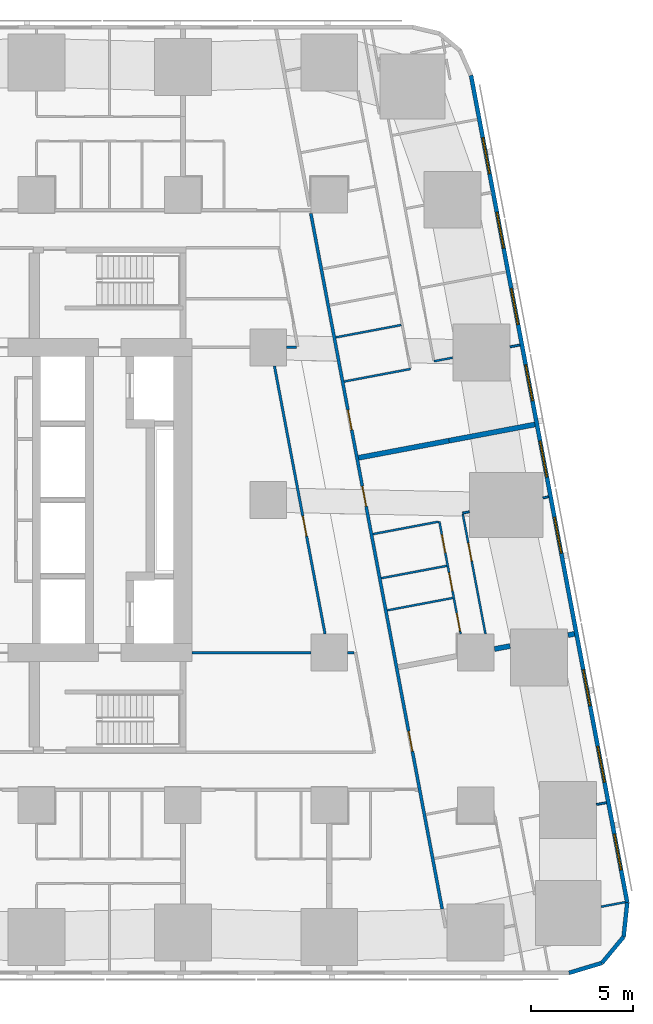
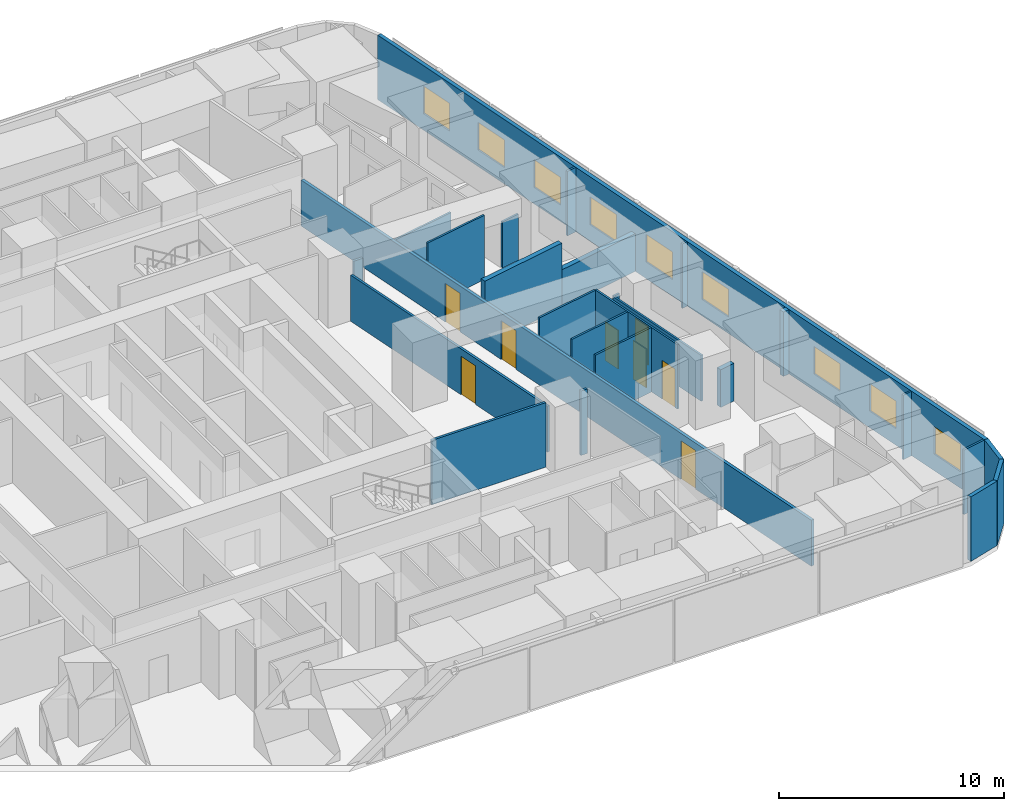
# One storey, part 8 of 16: 26 walls, 9 windows, 8 doors, 17 openings.
"""IFC4 building model written with IfcOpenShell, lengths in metres."""

from ifc_helpers import new_model, si_unit, direction, frame, frame_2d, origin, place, context, subcontext, project, spatial, rectangle, extrude, material, layer, layer_set, type_object, element, fill, save


model = new_model("IFC4")

# Units and contexts
model_context = context("Model", 3, precision=1e-05, world=origin(), true_north=direction((0.0, 1.0)))
body_context = subcontext(model_context, "Body", "Model", "MODEL_VIEW")
ifc_project = project(units=[si_unit("LENGTHUNIT", "METRE"), si_unit("AREAUNIT", "SQUARE_METRE"), si_unit("VOLUMEUNIT", "CUBIC_METRE"), si_unit("PLANEANGLEUNIT", "RADIAN"), si_unit("MASSUNIT", "GRAM", prefix="KILO")], contexts=[model_context])

# Site, building, storey
site_placement = place(None, origin())
site = spatial("IfcSite", under=ifc_project, at=site_placement, CompositionType="ELEMENT")
building_placement = place(site_placement, origin())
building = spatial("IfcBuilding", under=site, at=building_placement, Name="Sheger Commons Tower", CompositionType="ELEMENT")
storey_placement = place(building_placement, frame((0.0, 0.0, 57.5)))
storey = spatial("IfcBuildingStorey", under=building, at=storey_placement, Name="L14", CompositionType="ELEMENT", Elevation=57.5)

# Wall, openings, doors
ifc_material_1 = material(Name="Hollow concrete block masonry, skimmed both sides", Category="masonry")
ifc_layer_1 = layer(ifc_material_1, 0.14990234375)
ifc_layer_set_1 = layer_set([ifc_layer_1], Name="CORRIDOR WALL 150")
wall_type_1 = type_object("IfcWallType", Name="CORRIDOR WALL 150", PredefinedType="SOLIDWALL", material=ifc_layer_set_1)
wall_1_placement = place(storey_placement, frame((35.093994140625, 36.5849609375, 0.0), z_axis=(0.0, 0.0, 1.0), x_axis=(0.185588860311, -0.982627485331, 0.0)))
wall_1 = element("IfcWall", 1, at=wall_1_placement, inside=storey, type_object=wall_type_1, Name="Corridor wall L14", PredefinedType="SOLIDWALL", context=body_context, shape_type="SweptSolid", body=[
    extrude(rectangle(XDim=34.79736328125, YDim=0.14990234375, at=frame_2d((17.398681640625, 0.0))), origin(), (0.0, 0.0, 1.0), 2.5),
])
opening_1_placement = place(wall_1_placement, frame((9.827880859375, 0.0, 0.0)))
opening_1 = element("IfcOpeningElement", 2, at=opening_1_placement, cuts=wall_1, Name="Opening D1", PredefinedType="OPENING", context=body_context, shape_type="SweptSolid", body=[
    extrude(rectangle(XDim=1.0, YDim=2.10009765625, at=frame_2d((0.5, 1.050048828125))), frame((0.0, 0.0849609375, 0.0), z_axis=(0.0, -1.0, 0.0), x_axis=(1.0, 0.0, 0.0)), (0.0, 0.0, 1.0), 0.169921875),
])
opening_2_placement = place(wall_1_placement, frame((13.64501953125, 0.0, 0.0)))
opening_2 = element("IfcOpeningElement", 3, at=opening_2_placement, cuts=wall_1, Name="Opening D1", PredefinedType="OPENING", context=body_context, shape_type="SweptSolid", body=[
    extrude(rectangle(XDim=1.0, YDim=2.10009765625, at=frame_2d((0.5, 1.050048828125))), frame((0.0, 0.0849609375, 0.0), z_axis=(0.0, -1.0, 0.0), x_axis=(1.0, 0.0, 0.0)), (0.0, 0.0, 1.0), 0.169921875),
])
opening_3_placement = place(wall_1_placement, frame((25.89990234375, 0.0, 0.0)))
opening_3 = element("IfcOpeningElement", 4, at=opening_3_placement, cuts=wall_1, Name="Opening D1", PredefinedType="OPENING", context=body_context, shape_type="SweptSolid", body=[
    extrude(rectangle(XDim=1.0, YDim=2.10009765625, at=frame_2d((0.5, 1.050048828125))), frame((0.0, 0.0849609375, 0.0), z_axis=(0.0, -1.0, 0.0), x_axis=(1.0, 0.0, 0.0)), (0.0, 0.0, 1.0), 0.169921875),
])
ifc_material_2 = material(Name="Steel door set, fire rated", Category="steel")
door_type_1 = type_object("IfcDoorType", Name="FLAT ENTRANCE DOOR 1000x2100", OperationType="NOTDEFINED", PredefinedType="DOOR", material=ifc_material_2)
door_1_placement = place(opening_1_placement, origin())
door_1 = element("IfcDoor", 5, at=door_1_placement, inside=storey, type_object=door_type_1, Name="Flat entrance door", OperationType="SINGLE_SWING_LEFT", OverallHeight=2.10009765625, OverallWidth=1.0, PredefinedType="DOOR", context=body_context, shape_type="SweptSolid", body=[
    extrude(rectangle(XDim=1.0, YDim=2.10009765625, at=frame_2d((0.5, 1.050048828125))), frame((0.0, 0.02490234375, 0.0), z_axis=(0.0, -1.0, 0.0), x_axis=(1.0, 0.0, 0.0)), (0.0, 0.0, 1.0), 0.050048828125),
])
fill(opening_1, door_1)
door_2_placement = place(opening_2_placement, origin())
door_2 = element("IfcDoor", 6, at=door_2_placement, inside=storey, type_object=door_type_1, Name="Flat entrance door", OperationType="SINGLE_SWING_LEFT", OverallHeight=2.10009765625, OverallWidth=1.0, PredefinedType="DOOR", context=body_context, shape_type="SweptSolid", body=[
    extrude(rectangle(XDim=1.0, YDim=2.10009765625, at=frame_2d((0.5, 1.050048828125))), frame((0.0, 0.02490234375, 0.0), z_axis=(0.0, -1.0, 0.0), x_axis=(1.0, 0.0, 0.0)), (0.0, 0.0, 1.0), 0.050048828125),
])
fill(opening_2, door_2)
door_3_placement = place(opening_3_placement, origin())
door_3 = element("IfcDoor", 7, at=door_3_placement, inside=storey, type_object=door_type_1, Name="Flat entrance door", OperationType="SINGLE_SWING_RIGHT", OverallHeight=2.10009765625, OverallWidth=1.0, PredefinedType="DOOR", context=body_context, shape_type="SweptSolid", body=[
    extrude(rectangle(XDim=1.0, YDim=2.10009765625, at=frame_2d((0.5, 1.050048828125))), frame((0.0, 0.02490234375, 0.0), z_axis=(0.0, -1.0, 0.0), x_axis=(1.0, 0.0, 0.0)), (0.0, 0.0, 1.0), 0.050048828125),
])
fill(opening_3, door_3)

# Walls
ifc_material_3 = material(Name="Dense concrete block masonry, plastered both sides (separating wall between flats)", Category="masonry")
ifc_layer_2 = layer(ifc_material_3, 0.25)
ifc_layer_set_2 = layer_set([ifc_layer_2], Name="DEMISING WALL 250")
wall_type_2 = type_object("IfcWallType", Name="DEMISING WALL 250", PredefinedType="SOLIDWALL", material=ifc_layer_set_2)
wall_2_placement = place(storey_placement, frame((46.110107421875, 26.212890625, 0.0), z_axis=(0.0, 0.0, 1.0), x_axis=(-0.982633535512, -0.185556823879, 0.0)))
element("IfcWall", 8, at=wall_2_placement, inside=storey, type_object=wall_type_2, Name="Demising wall L14", PredefinedType="SOLIDWALL", context=body_context, shape_type="SweptSolid", body=[
    extrude(rectangle(XDim=4.2998046875, YDim=0.25, at=frame_2d((2.14990234375, 0.0))), origin(), (0.0, 0.0, 1.0), 2.050048828125),
])
wall_3_placement = place(storey_placement, frame((41.885009765625, 25.4150390625, 0.0), z_axis=(0.0, 0.0, 1.0), x_axis=(-0.982612837616, -0.185666398014, 0.0)))
element("IfcWall", 9, at=wall_3_placement, inside=storey, type_object=wall_type_2, Name="Demising wall L14", PredefinedType="SOLIDWALL", context=body_context, shape_type="SweptSolid", body=[
    extrude(rectangle(XDim=4.524658203125, YDim=0.25, at=frame_2d((2.26220703125, 0.0))), origin(), (0.0, 0.0, 1.0), 3.5),
])
wall_4_placement = place(storey_placement, frame((48.054931640625, 15.9169921875, 0.0), z_axis=(0.0, 0.0, 1.0), x_axis=(-0.982510408223, -0.186207673669, 0.0)))
element("IfcWall", 10, at=wall_4_placement, inside=storey, type_object=wall_type_2, Name="Demising wall L14", PredefinedType="SOLIDWALL", context=body_context, shape_type="SweptSolid", body=[
    extrude(rectangle(XDim=0.322509765625, YDim=0.25, at=frame_2d((0.1611328125, 0.0))), origin(), (0.0, 0.0, 1.0), 3.5),
])
wall_5_placement = place(storey_placement, frame((44.889892578125, 15.319091796875, 0.0), z_axis=(0.0, 0.0, 1.0), x_axis=(-0.982540856152, -0.186046945666, 0.0)))
element("IfcWall", 11, at=wall_5_placement, inside=storey, type_object=wall_type_2, Name="Demising wall L14", PredefinedType="SOLIDWALL", context=body_context, shape_type="SweptSolid", body=[
    extrude(rectangle(XDim=0.779541015625, YDim=0.25, at=frame_2d((0.3896484375, 0.0))), origin(), (0.0, 0.0, 1.0), 2.050048828125),
])
ifc_material_4 = material(Name="Rendered concrete block masonry, dark grey", Category="masonry")
ifc_layer_3 = layer(ifc_material_4, 0.199951171875)
ifc_layer_set_3 = layer_set([ifc_layer_3], Name="FACADE WALL 200")
wall_type_3 = type_object("IfcWallType", Name="FACADE WALL 200", PredefinedType="SOLIDWALL", material=ifc_layer_set_3)
wall_6_placement = place(storey_placement, frame((47.791015625, -0.75, 0.0), z_axis=(0.0, 0.0, 1.0), x_axis=(0.957455232626, 0.288581838509, 0.0)))
element("IfcWall", 12, at=wall_6_placement, inside=storey, type_object=wall_type_3, Name="Facade wall L14", PredefinedType="SOLIDWALL", context=body_context, shape_type="SweptSolid", body=[
    extrude(rectangle(XDim=1.687744140625, YDim=0.199951171875, at=frame_2d((0.84375, 0.0))), origin(), (0.0, 0.0, 1.0), 3.5),
])
wall_7_placement = place(storey_placement, frame((49.406982421875, -0.262939453125, 0.0), z_axis=(0.0, 0.0, 1.0), x_axis=(0.638042593423, 0.770001070764, 0.0)))
element("IfcWall", 13, at=wall_7_placement, inside=storey, type_object=wall_type_3, Name="Facade wall L14", PredefinedType="SOLIDWALL", context=body_context, shape_type="SweptSolid", body=[
    extrude(rectangle(XDim=1.672607421875, YDim=0.199951171875, at=frame_2d((0.83642578125, 0.0))), origin(), (0.0, 0.0, 1.0), 3.5),
])
wall_8_placement = place(storey_placement, frame((50.47412109375, 1.02490234375, 0.0), z_axis=(0.0, 0.0, 1.0), x_axis=(0.106047815515, 0.994361031429, 0.0)))
element("IfcWall", 14, at=wall_8_placement, inside=storey, type_object=wall_type_3, Name="Facade wall L14", PredefinedType="SOLIDWALL", context=body_context, shape_type="SweptSolid", body=[
    extrude(rectangle(XDim=1.6875, YDim=0.199951171875, at=frame_2d((0.84375, 0.0))), origin(), (0.0, 0.0, 1.0), 3.5),
])

# Wall, openings, windows
wall_9_placement = place(storey_placement, frame((50.653076171875, 2.702880859375, 0.0), z_axis=(0.0, 0.0, 1.0), x_axis=(-0.185612026696, 0.982623109613, 0.0)))
wall_9 = element("IfcWall", 15, at=wall_9_placement, inside=storey, type_object=wall_type_3, Name="Facade wall L14", PredefinedType="SOLIDWALL", context=body_context, shape_type="SweptSolid", body=[
    extrude(rectangle(XDim=41.393310546875, YDim=0.199951171875, at=frame_2d((20.69677734375, 0.0))), origin(), (0.0, 0.0, 1.0), 3.5),
])
opening_4_placement = place(wall_9_placement, frame((1.633056640625, 0.0, 0.89990234375)))
opening_4 = element("IfcOpeningElement", 16, at=opening_4_placement, cuts=wall_9, Name="Opening W2", PredefinedType="OPENING", context=body_context, shape_type="SweptSolid", body=[
    extrude(rectangle(XDim=1.800048828125, YDim=1.5, at=frame_2d((0.89990234375, 0.75))), frame((0.0, 0.10986328125, 0.0), z_axis=(0.0, -1.0, 0.0), x_axis=(1.0, 0.0, 0.0)), (0.0, 0.0, 1.0), 0.219970703125),
])
opening_5_placement = place(wall_9_placement, frame((6.031982421875, 0.0, 0.89990234375)))
opening_5 = element("IfcOpeningElement", 17, at=opening_5_placement, cuts=wall_9, Name="Opening W2", PredefinedType="OPENING", context=body_context, shape_type="SweptSolid", body=[
    extrude(rectangle(XDim=1.800048828125, YDim=1.5, at=frame_2d((0.89990234375, 0.75))), frame((0.0, 0.10986328125, 0.0), z_axis=(0.0, -1.0, 0.0), x_axis=(1.0, 0.0, 0.0)), (0.0, 0.0, 1.0), 0.219970703125),
])
opening_6_placement = place(wall_9_placement, frame((9.847900390625, 0.0, 0.89990234375)))
opening_6 = element("IfcOpeningElement", 18, at=opening_6_placement, cuts=wall_9, Name="Opening W2", PredefinedType="OPENING", context=body_context, shape_type="SweptSolid", body=[
    extrude(rectangle(XDim=1.800048828125, YDim=1.5, at=frame_2d((0.89990234375, 0.75))), frame((0.0, 0.10986328125, 0.0), z_axis=(0.0, -1.0, 0.0), x_axis=(1.0, 0.0, 0.0)), (0.0, 0.0, 1.0), 0.219970703125),
])
opening_7_placement = place(wall_9_placement, frame((17.48095703125, 0.0, 0.89990234375)))
opening_7 = element("IfcOpeningElement", 19, at=opening_7_placement, cuts=wall_9, Name="Opening W2", PredefinedType="OPENING", context=body_context, shape_type="SweptSolid", body=[
    extrude(rectangle(XDim=1.800048828125, YDim=1.5, at=frame_2d((0.89990234375, 0.75))), frame((0.0, 0.10986328125, 0.0), z_axis=(0.0, -1.0, 0.0), x_axis=(1.0, 0.0, 0.0)), (0.0, 0.0, 1.0), 0.219970703125),
])
opening_8_placement = place(wall_9_placement, frame((21.297119140625, 0.0, 0.89990234375)))
opening_8 = element("IfcOpeningElement", 20, at=opening_8_placement, cuts=wall_9, Name="Opening W2", PredefinedType="OPENING", context=body_context, shape_type="SweptSolid", body=[
    extrude(rectangle(XDim=1.800048828125, YDim=1.5, at=frame_2d((0.89990234375, 0.75))), frame((0.0, 0.10986328125, 0.0), z_axis=(0.0, -1.0, 0.0), x_axis=(1.0, 0.0, 0.0)), (0.0, 0.0, 1.0), 0.219970703125),
])
opening_9_placement = place(wall_9_placement, frame((25.113037109375, 0.0, 0.89990234375)))
opening_9 = element("IfcOpeningElement", 21, at=opening_9_placement, cuts=wall_9, Name="Opening W2", PredefinedType="OPENING", context=body_context, shape_type="SweptSolid", body=[
    extrude(rectangle(XDim=1.800048828125, YDim=1.5, at=frame_2d((0.89990234375, 0.75))), frame((0.0, 0.10986328125, 0.0), z_axis=(0.0, -1.0, 0.0), x_axis=(1.0, 0.0, 0.0)), (0.0, 0.0, 1.0), 0.219970703125),
])
opening_10_placement = place(wall_9_placement, frame((28.929931640625, 0.0, 0.89990234375)))
opening_10 = element("IfcOpeningElement", 22, at=opening_10_placement, cuts=wall_9, Name="Opening W2", PredefinedType="OPENING", context=body_context, shape_type="SweptSolid", body=[
    extrude(rectangle(XDim=1.800048828125, YDim=1.5, at=frame_2d((0.89990234375, 0.75))), frame((0.0, 0.10986328125, 0.0), z_axis=(0.0, -1.0, 0.0), x_axis=(1.0, 0.0, 0.0)), (0.0, 0.0, 1.0), 0.219970703125),
])
opening_11_placement = place(wall_9_placement, frame((32.74609375, 0.0, 0.89990234375)))
opening_11 = element("IfcOpeningElement", 23, at=opening_11_placement, cuts=wall_9, Name="Opening W2", PredefinedType="OPENING", context=body_context, shape_type="SweptSolid", body=[
    extrude(rectangle(XDim=1.800048828125, YDim=1.5, at=frame_2d((0.89990234375, 0.75))), frame((0.0, 0.10986328125, 0.0), z_axis=(0.0, -1.0, 0.0), x_axis=(1.0, 0.0, 0.0)), (0.0, 0.0, 1.0), 0.219970703125),
])
opening_12_placement = place(wall_9_placement, frame((36.48095703125, 0.0, 0.89990234375)))
opening_12 = element("IfcOpeningElement", 24, at=opening_12_placement, cuts=wall_9, Name="Opening W2", PredefinedType="OPENING", context=body_context, shape_type="SweptSolid", body=[
    extrude(rectangle(XDim=1.800048828125, YDim=1.5, at=frame_2d((0.89990234375, 0.75))), frame((0.0, 0.10986328125, 0.0), z_axis=(0.0, -1.0, 0.0), x_axis=(1.0, 0.0, 0.0)), (0.0, 0.0, 1.0), 0.219970703125),
])
ifc_material_5 = material(Name="Black aluminium frame, dark tinted double glazing", Category="aluminium")
window_type = type_object("IfcWindowType", Name="WINDOW W2 1800x1500", PartitioningType="SINGLE_PANEL", PredefinedType="WINDOW", material=ifc_material_5)
window_1_placement = place(opening_4_placement, origin())
window_1 = element("IfcWindow", 25, at=window_1_placement, inside=storey, type_object=window_type, Name="Window W2 1800X1500", OverallHeight=1.5, OverallWidth=1.800048828125, PartitioningType="SINGLE_PANEL", PredefinedType="WINDOW", context=body_context, shape_type="SweptSolid", body=[
    extrude(rectangle(XDim=1.800048828125, YDim=1.5, at=frame_2d((0.89990234375, 0.75))), frame((0.0, 0.030029296875, 0.0), z_axis=(0.0, -1.0, 0.0), x_axis=(1.0, 0.0, 0.0)), (0.0, 0.0, 1.0), 0.06005859375),
])
fill(opening_4, window_1)
window_2_placement = place(opening_5_placement, origin())
window_2 = element("IfcWindow", 26, at=window_2_placement, inside=storey, type_object=window_type, Name="Window W2 1800X1500", OverallHeight=1.5, OverallWidth=1.800048828125, PartitioningType="SINGLE_PANEL", PredefinedType="WINDOW", context=body_context, shape_type="SweptSolid", body=[
    extrude(rectangle(XDim=1.800048828125, YDim=1.5, at=frame_2d((0.89990234375, 0.75))), frame((0.0, 0.030029296875, 0.0), z_axis=(0.0, -1.0, 0.0), x_axis=(1.0, 0.0, 0.0)), (0.0, 0.0, 1.0), 0.06005859375),
])
fill(opening_5, window_2)
window_3_placement = place(opening_6_placement, origin())
window_3 = element("IfcWindow", 27, at=window_3_placement, inside=storey, type_object=window_type, Name="Window W2 1800X1500", OverallHeight=1.5, OverallWidth=1.800048828125, PartitioningType="SINGLE_PANEL", PredefinedType="WINDOW", context=body_context, shape_type="SweptSolid", body=[
    extrude(rectangle(XDim=1.800048828125, YDim=1.5, at=frame_2d((0.89990234375, 0.75))), frame((0.0, 0.030029296875, 0.0), z_axis=(0.0, -1.0, 0.0), x_axis=(1.0, 0.0, 0.0)), (0.0, 0.0, 1.0), 0.06005859375),
])
fill(opening_6, window_3)
window_4_placement = place(opening_7_placement, origin())
window_4 = element("IfcWindow", 28, at=window_4_placement, inside=storey, type_object=window_type, Name="Window W2 1800X1500", OverallHeight=1.5, OverallWidth=1.800048828125, PartitioningType="SINGLE_PANEL", PredefinedType="WINDOW", context=body_context, shape_type="SweptSolid", body=[
    extrude(rectangle(XDim=1.800048828125, YDim=1.5, at=frame_2d((0.89990234375, 0.75))), frame((0.0, 0.030029296875, 0.0), z_axis=(0.0, -1.0, 0.0), x_axis=(1.0, 0.0, 0.0)), (0.0, 0.0, 1.0), 0.06005859375),
])
fill(opening_7, window_4)
window_5_placement = place(opening_8_placement, origin())
window_5 = element("IfcWindow", 29, at=window_5_placement, inside=storey, type_object=window_type, Name="Window W2 1800X1500", OverallHeight=1.5, OverallWidth=1.800048828125, PartitioningType="SINGLE_PANEL", PredefinedType="WINDOW", context=body_context, shape_type="SweptSolid", body=[
    extrude(rectangle(XDim=1.800048828125, YDim=1.5, at=frame_2d((0.89990234375, 0.75))), frame((0.0, 0.030029296875, 0.0), z_axis=(0.0, -1.0, 0.0), x_axis=(1.0, 0.0, 0.0)), (0.0, 0.0, 1.0), 0.06005859375),
])
fill(opening_8, window_5)
window_6_placement = place(opening_9_placement, origin())
window_6 = element("IfcWindow", 30, at=window_6_placement, inside=storey, type_object=window_type, Name="Window W2 1800X1500", OverallHeight=1.5, OverallWidth=1.800048828125, PartitioningType="SINGLE_PANEL", PredefinedType="WINDOW", context=body_context, shape_type="SweptSolid", body=[
    extrude(rectangle(XDim=1.800048828125, YDim=1.5, at=frame_2d((0.89990234375, 0.75))), frame((0.0, 0.030029296875, 0.0), z_axis=(0.0, -1.0, 0.0), x_axis=(1.0, 0.0, 0.0)), (0.0, 0.0, 1.0), 0.06005859375),
])
fill(opening_9, window_6)
window_7_placement = place(opening_10_placement, origin())
window_7 = element("IfcWindow", 31, at=window_7_placement, inside=storey, type_object=window_type, Name="Window W2 1800X1500", OverallHeight=1.5, OverallWidth=1.800048828125, PartitioningType="SINGLE_PANEL", PredefinedType="WINDOW", context=body_context, shape_type="SweptSolid", body=[
    extrude(rectangle(XDim=1.800048828125, YDim=1.5, at=frame_2d((0.89990234375, 0.75))), frame((0.0, 0.030029296875, 0.0), z_axis=(0.0, -1.0, 0.0), x_axis=(1.0, 0.0, 0.0)), (0.0, 0.0, 1.0), 0.06005859375),
])
fill(opening_10, window_7)
window_8_placement = place(opening_11_placement, origin())
window_8 = element("IfcWindow", 32, at=window_8_placement, inside=storey, type_object=window_type, Name="Window W2 1800X1500", OverallHeight=1.5, OverallWidth=1.800048828125, PartitioningType="SINGLE_PANEL", PredefinedType="WINDOW", context=body_context, shape_type="SweptSolid", body=[
    extrude(rectangle(XDim=1.800048828125, YDim=1.5, at=frame_2d((0.89990234375, 0.75))), frame((0.0, 0.030029296875, 0.0), z_axis=(0.0, -1.0, 0.0), x_axis=(1.0, 0.0, 0.0)), (0.0, 0.0, 1.0), 0.06005859375),
])
fill(opening_11, window_8)
window_9_placement = place(opening_12_placement, origin())
window_9 = element("IfcWindow", 33, at=window_9_placement, inside=storey, type_object=window_type, Name="Window W2 1800X1500", OverallHeight=1.5, OverallWidth=1.800048828125, PartitioningType="SINGLE_PANEL", PredefinedType="WINDOW", context=body_context, shape_type="SweptSolid", body=[
    extrude(rectangle(XDim=1.800048828125, YDim=1.5, at=frame_2d((0.89990234375, 0.75))), frame((0.0, 0.030029296875, 0.0), z_axis=(0.0, -1.0, 0.0), x_axis=(1.0, 0.0, 0.0)), (0.0, 0.0, 1.0), 0.06005859375),
])
fill(opening_12, window_9)

# Walls
ifc_material_6 = material(Name="Gypsum board on steel studs", Category="steel")
ifc_layer_4 = layer(ifc_material_6, 0.10009765625)
ifc_layer_set_4 = layer_set([ifc_layer_4], Name="PARTITION 100")
wall_type_4 = type_object("IfcWallType", Name="PARTITION 100", PredefinedType="PARTITIONING", material=ifc_layer_set_4)
wall_10_placement = place(storey_placement, frame((45.3720703125, 30.12109375, 0.0), z_axis=(0.0, 0.0, 1.0), x_axis=(-0.982629142467, -0.185580086147, 0.0)))
element("IfcWall", 34, at=wall_10_placement, inside=storey, type_object=wall_type_4, Name="Partition L14", PredefinedType="PARTITIONING", context=body_context, shape_type="SweptSolid", body=[
    extrude(rectangle(XDim=0.49072265625, YDim=0.10009765625, at=frame_2d((0.245361328125, 0.0))), origin(), (0.0, 0.0, 1.0), 3.5),
])
wall_11_placement = place(storey_placement, frame((42.070068359375, 29.4970703125, 0.0), z_axis=(0.0, 0.0, 1.0), x_axis=(-0.982490624992, -0.186312028067, 0.0)))
element("IfcWall", 35, at=wall_11_placement, inside=storey, type_object=wall_type_4, Name="Partition L14", PredefinedType="PARTITIONING", context=body_context, shape_type="SweptSolid", body=[
    extrude(rectangle(XDim=0.939453125, YDim=0.10009765625, at=frame_2d((0.4697265625, 0.0))), origin(), (0.0, 0.0, 1.0), 2.5),
])
wall_12_placement = place(storey_placement, frame((39.9970703125, 28.94189453125, 0.0), z_axis=(0.0, 0.0, 1.0), x_axis=(-0.982569883123, -0.185893584556, 0.0)))
element("IfcWall", 36, at=wall_12_placement, inside=storey, type_object=wall_type_4, Name="Partition L14", PredefinedType="PARTITIONING", context=body_context, shape_type="SweptSolid", body=[
    extrude(rectangle(XDim=3.323974609375, YDim=0.10009765625, at=frame_2d((1.662109375, 0.0))), origin(), (0.0, 0.0, 1.0), 3.5),
])
wall_13_placement = place(storey_placement, frame((39.5380859375, 31.10400390625, 0.0), z_axis=(0.0, 0.0, 1.0), x_axis=(-0.982620626894, -0.185625169636, 0.0)))
element("IfcWall", 37, at=wall_13_placement, inside=storey, type_object=wall_type_4, Name="Partition L14", PredefinedType="PARTITIONING", context=body_context, shape_type="SweptSolid", body=[
    extrude(rectangle(XDim=3.27490234375, YDim=0.10009765625, at=frame_2d((1.637451171875, 0.0))), origin(), (0.0, 0.0, 1.0), 2.5),
])

# Wall, opening, door
wall_14_placement = place(storey_placement, frame((42.56494140625, 21.80908203125, 0.0), z_axis=(0.0, 0.0, 1.0), x_axis=(0.185719768524, -0.982602751665, 0.0)))
wall_14 = element("IfcWall", 38, at=wall_14_placement, inside=storey, type_object=wall_type_4, Name="Partition L14", PredefinedType="PARTITIONING", context=body_context, shape_type="SweptSolid", body=[
    extrude(rectangle(XDim=6.003662109375, YDim=0.10009765625, at=frame_2d((3.001953125, 0.0))), origin(), (0.0, 0.0, 1.0), 2.5),
])
opening_13_placement = place(wall_14_placement, frame((1.449951171875, 0.0, 0.0)))
opening_13 = element("IfcOpeningElement", 39, at=opening_13_placement, cuts=wall_14, Name="Opening D2", PredefinedType="OPENING", context=body_context, shape_type="SweptSolid", body=[
    extrude(rectangle(XDim=0.89990234375, YDim=2.10009765625, at=frame_2d((0.449951171875, 1.050048828125))), frame((0.0, 0.06005859375, 0.0), z_axis=(0.0, -1.0, 0.0), x_axis=(1.0, 0.0, 0.0)), (0.0, 0.0, 1.0), 0.1201171875),
])
ifc_material_7 = material(Name="Timber door set", Category="wood")
door_type_2 = type_object("IfcDoorType", Name="INTERNAL DOOR 900x2100", OperationType="NOTDEFINED", PredefinedType="DOOR", material=ifc_material_7)
door_4_placement = place(opening_13_placement, origin())
door_4 = element("IfcDoor", 40, at=door_4_placement, inside=storey, type_object=door_type_2, Name="Main bedroom door", OperationType="SINGLE_SWING_RIGHT", OverallHeight=2.10009765625, OverallWidth=0.89990234375, PredefinedType="DOOR", context=body_context, shape_type="SweptSolid", body=[
    extrude(rectangle(XDim=0.89990234375, YDim=2.10009765625, at=frame_2d((0.449951171875, 1.050048828125))), frame((0.0, 0.02490234375, 0.0), z_axis=(0.0, -1.0, 0.0), x_axis=(1.0, 0.0, 0.0)), (0.0, 0.0, 1.0), 0.050048828125),
])
fill(opening_13, door_4)

# Wall, openings, doors
wall_15_placement = place(storey_placement, frame((41.4140625, 21.44189453125, 0.0), z_axis=(0.0, 0.0, 1.0), x_axis=(0.185605379031, -0.982624365297, 0.0)))
wall_15 = element("IfcWall", 41, at=wall_15_placement, inside=storey, type_object=wall_type_4, Name="Partition L14", PredefinedType="PARTITIONING", context=body_context, shape_type="SweptSolid", body=[
    extrude(rectangle(XDim=5.6298828125, YDim=0.10009765625, at=frame_2d((2.81494140625, 0.0))), origin(), (0.0, 0.0, 1.0), 3.5),
])
opening_14_placement = place(wall_15_placement, frame((0.655029296875, 0.0, 0.0)))
opening_14 = element("IfcOpeningElement", 42, at=opening_14_placement, cuts=wall_15, Name="Opening D2", PredefinedType="OPENING", context=body_context, shape_type="SweptSolid", body=[
    extrude(rectangle(XDim=0.89990234375, YDim=2.10009765625, at=frame_2d((0.449951171875, 1.050048828125))), frame((0.0, 0.06005859375, 0.0), z_axis=(0.0, -1.0, 0.0), x_axis=(1.0, 0.0, 0.0)), (0.0, 0.0, 1.0), 0.1201171875),
])
opening_15_placement = place(wall_15_placement, frame((4.580078125, 0.0, 0.0)))
opening_15 = element("IfcOpeningElement", 43, at=opening_15_placement, cuts=wall_15, Name="Opening D2", PredefinedType="OPENING", context=body_context, shape_type="SweptSolid", body=[
    extrude(rectangle(XDim=0.89990234375, YDim=2.10009765625, at=frame_2d((0.449951171875, 1.050048828125))), frame((0.0, 0.06005859375, 0.0), z_axis=(0.0, -1.0, 0.0), x_axis=(1.0, 0.0, 0.0)), (0.0, 0.0, 1.0), 0.1201171875),
])
opening_16_placement = place(wall_15_placement, frame((2.56201171875, 0.0, 0.0)))
opening_16 = element("IfcOpeningElement", 44, at=opening_16_placement, cuts=wall_15, Name="Opening D2", PredefinedType="OPENING", context=body_context, shape_type="SweptSolid", body=[
    extrude(rectangle(XDim=0.89990234375, YDim=2.10009765625, at=frame_2d((0.449951171875, 1.050048828125))), frame((0.0, 0.06005859375, 0.0), z_axis=(0.0, -1.0, 0.0), x_axis=(1.0, 0.0, 0.0)), (0.0, 0.0, 1.0), 0.1201171875),
])
door_5_placement = place(opening_14_placement, origin())
door_5 = element("IfcDoor", 45, at=door_5_placement, inside=storey, type_object=door_type_2, Name="Bathroom door", OperationType="SINGLE_SWING_RIGHT", OverallHeight=2.10009765625, OverallWidth=0.89990234375, PredefinedType="DOOR", context=body_context, shape_type="SweptSolid", body=[
    extrude(rectangle(XDim=0.89990234375, YDim=2.10009765625, at=frame_2d((0.449951171875, 1.050048828125))), frame((0.0, 0.02490234375, 0.0), z_axis=(0.0, -1.0, 0.0), x_axis=(1.0, 0.0, 0.0)), (0.0, 0.0, 1.0), 0.050048828125),
])
fill(opening_14, door_5)
door_6_placement = place(opening_15_placement, origin())
door_6 = element("IfcDoor", 46, at=door_6_placement, inside=storey, type_object=door_type_2, Name="Store and laundry door", OperationType="SINGLE_SWING_LEFT", OverallHeight=2.10009765625, OverallWidth=0.89990234375, PredefinedType="DOOR", context=body_context, shape_type="SweptSolid", body=[
    extrude(rectangle(XDim=0.89990234375, YDim=2.10009765625, at=frame_2d((0.449951171875, 1.050048828125))), frame((0.0, 0.02490234375, 0.0), z_axis=(0.0, -1.0, 0.0), x_axis=(1.0, 0.0, 0.0)), (0.0, 0.0, 1.0), 0.050048828125),
])
fill(opening_15, door_6)
door_7_placement = place(opening_16_placement, origin())
door_7 = element("IfcDoor", 47, at=door_7_placement, inside=storey, type_object=door_type_2, Name="Store door", OperationType="SINGLE_SWING_LEFT", OverallHeight=2.10009765625, OverallWidth=0.89990234375, PredefinedType="DOOR", context=body_context, shape_type="SweptSolid", body=[
    extrude(rectangle(XDim=0.89990234375, YDim=2.10009765625, at=frame_2d((0.449951171875, 1.050048828125))), frame((0.0, 0.02490234375, 0.0), z_axis=(0.0, -1.0, 0.0), x_axis=(1.0, 0.0, 0.0)), (0.0, 0.0, 1.0), 0.050048828125),
])
fill(opening_16, door_7)

# Walls
wall_16_placement = place(storey_placement, frame((46.781982421875, 22.656982421875, 0.0), z_axis=(0.0, 0.0, 1.0), x_axis=(-0.982574553168, -0.185868898601, 0.0)))
element("IfcWall", 48, at=wall_16_placement, inside=storey, type_object=wall_type_4, Name="Partition L14", PredefinedType="PARTITIONING", context=body_context, shape_type="SweptSolid", body=[
    extrude(rectangle(XDim=0.27978515625, YDim=0.10009765625, at=frame_2d((0.139892578125, 0.0))), origin(), (0.0, 0.0, 1.0), 3.5),
])
wall_17_placement = place(storey_placement, frame((42.886962890625, 21.9208984375, 0.0), z_axis=(0.0, 0.0, 1.0), x_axis=(-0.982274918032, -0.187445953293, 0.0)))
element("IfcWall", 49, at=wall_17_placement, inside=storey, type_object=wall_type_4, Name="Partition L14", PredefinedType="PARTITIONING", context=body_context, shape_type="SweptSolid", body=[
    extrude(rectangle(XDim=0.3359375, YDim=0.10009765625, at=frame_2d((0.16796875, 0.0))), origin(), (0.0, 0.0, 1.0), 2.5),
])
for number, where, z_axis, x_axis, name in (
    (50, (41.364990234375, 21.43310546875, 0.0), (0.0, 0.0, 1.0), (-0.982607026909, -0.185697147715, 0.0), "Partition L14"),
    (51, (42.072998046875, 17.68310546875, 0.0), (0.0, 0.0, 1.0), (-0.982607026909, -0.185697147715, 0.0), "Partition L14"),
    (52, (41.77490234375, 19.260986328125, 0.0), (0.0, 0.0, 1.0), (-0.982620626894, -0.185625169636, 0.0), "Partition L14"),
):
    element("IfcWall", number, at=place(storey_placement, frame(where, z_axis=z_axis, x_axis=x_axis)), inside=storey, type_object=wall_type_4, Name=name, PredefinedType="PARTITIONING", context=body_context, shape_type="SweptSolid", body=[
        extrude(rectangle(XDim=3.27490234375, YDim=0.10009765625, at=frame_2d((1.637451171875, 0.0))), origin(), (0.0, 0.0, 1.0), 3.5),
    ])
wall_18_placement = place(storey_placement, frame((49.6220703125, 7.6201171875, 0.0), z_axis=(0.0, 0.0, 1.0), x_axis=(-0.982629142467, -0.185580086147, 0.0)))
element("IfcWall", 53, at=wall_18_placement, inside=storey, type_object=wall_type_4, Name="Partition L14", PredefinedType="PARTITIONING", context=body_context, shape_type="SweptSolid", body=[
    extrude(rectangle(XDim=0.49072265625, YDim=0.10009765625, at=frame_2d((0.245361328125, 0.0))), origin(), (0.0, 0.0, 1.0), 3.5),
])
wall_19_placement = place(storey_placement, frame((50.547119140625, 2.72607421875, 0.0), z_axis=(0.0, 0.0, 1.0), x_axis=(-0.982553313503, -0.185981144539, 0.0)))
element("IfcWall", 54, at=wall_19_placement, inside=storey, type_object=wall_type_4, Name="Partition L14", PredefinedType="PARTITIONING", context=body_context, shape_type="SweptSolid", body=[
    extrude(rectangle(XDim=1.210205078125, YDim=0.10009765625, at=frame_2d((0.60498046875, 0.0))), origin(), (0.0, 0.0, 1.0), 3.5),
])

# Wall, opening, door
ifc_material_8 = material(Name="Gypsum board on steel studs, two layers each side, fire rated", Category="steel")
ifc_layer_5 = layer(ifc_material_8, 0.125)
ifc_layer_set_5 = layer_set([ifc_layer_5], Name="SERVICE WALL 125")
wall_type_5 = type_object("IfcWallType", Name="SERVICE WALL 125", PredefinedType="PARTITIONING", material=ifc_layer_set_5)
wall_20_placement = place(storey_placement, frame((35.79296875, 15.9130859375, 0.0), z_axis=(0.0, 0.0, 1.0), x_axis=(-0.185651708232, 0.982615613162, 0.0)))
wall_20 = element("IfcWall", 55, at=wall_20_placement, inside=storey, type_object=wall_type_5, Name="Service room wall L14", PredefinedType="PARTITIONING", context=body_context, shape_type="SweptSolid", body=[
    extrude(rectangle(XDim=13.406982421875, YDim=0.125, at=frame_2d((6.70361328125, 0.0))), origin(), (0.0, 0.0, 1.0), 2.5),
])
opening_17_placement = place(wall_20_placement, frame((4.89990234375, 0.0, 0.0)))
opening_17 = element("IfcOpeningElement", 56, at=opening_17_placement, cuts=wall_20, Name="Opening D4", PredefinedType="OPENING", context=body_context, shape_type="SweptSolid", body=[
    extrude(rectangle(XDim=1.0, YDim=2.10009765625, at=frame_2d((0.5, 1.050048828125))), frame((0.0, 0.072509765625, 0.0), z_axis=(0.0, -1.0, 0.0), x_axis=(1.0, 0.0, 0.0)), (0.0, 0.0, 1.0), 0.14501953125),
])
ifc_material_9 = material(Name="Steel door set, fire rated", Category="steel")
door_type_3 = type_object("IfcDoorType", Name="SERVICE DOOR 1000x2100", OperationType="NOTDEFINED", PredefinedType="DOOR", material=ifc_material_9)
door_8_placement = place(opening_17_placement, origin())
door_8 = element("IfcDoor", 57, at=door_8_placement, inside=storey, type_object=door_type_3, Name="Residents' gym door", OperationType="SINGLE_SWING_LEFT", OverallHeight=2.10009765625, OverallWidth=1.0, PredefinedType="DOOR", context=body_context, shape_type="SweptSolid", body=[
    extrude(rectangle(XDim=1.0, YDim=2.10009765625, at=frame_2d((0.5, 1.050048828125))), frame((0.0, 0.02490234375, 0.0), z_axis=(0.0, -1.0, 0.0), x_axis=(1.0, 0.0, 0.0)), (0.0, 0.0, 1.0), 0.050048828125),
])
fill(opening_17, door_8)

# Walls
wall_21_placement = place(storey_placement, frame((29.25, 15.0, 0.0), z_axis=(0.0, 0.0, 1.0), x_axis=(1.0, 0.0, 0.0)))
element("IfcWall", 58, at=wall_21_placement, inside=storey, type_object=wall_type_5, Name="Service room wall L14", PredefinedType="PARTITIONING", context=body_context, shape_type="SweptSolid", body=[
    extrude(rectangle(XDim=5.84912109375, YDim=0.125, at=frame_2d((2.924560546875, 0.0))), origin(), (0.0, 0.0, 1.0), 3.5),
])
wall_22_placement = place(storey_placement, frame((36.90087890625, 15.0, 0.0), z_axis=(0.0, 0.0, 1.0), x_axis=(1.0, 0.0, 0.0)))
element("IfcWall", 59, at=wall_22_placement, inside=storey, type_object=wall_type_5, Name="Service room wall L14", PredefinedType="PARTITIONING", context=body_context, shape_type="SweptSolid", body=[
    extrude(rectangle(XDim=0.326171875, YDim=0.125, at=frame_2d((0.1630859375, 0.0))), origin(), (0.0, 0.0, 1.0), 3.5),
])
wall_23_placement = place(storey_placement, frame((33.90087890625, 30.0, 0.0), z_axis=(0.0, 0.0, 1.0), x_axis=(1.0, 0.0, 0.0)))
element("IfcWall", 60, at=wall_23_placement, inside=storey, type_object=wall_type_5, Name="Service room wall L14", PredefinedType="PARTITIONING", context=body_context, shape_type="SweptSolid", body=[
    extrude(rectangle(XDim=0.47900390625, YDim=0.125, at=frame_2d((0.239501953125, 0.0))), origin(), (0.0, 0.0, 1.0), 2.5),
])

save(model, "model.ifc")
